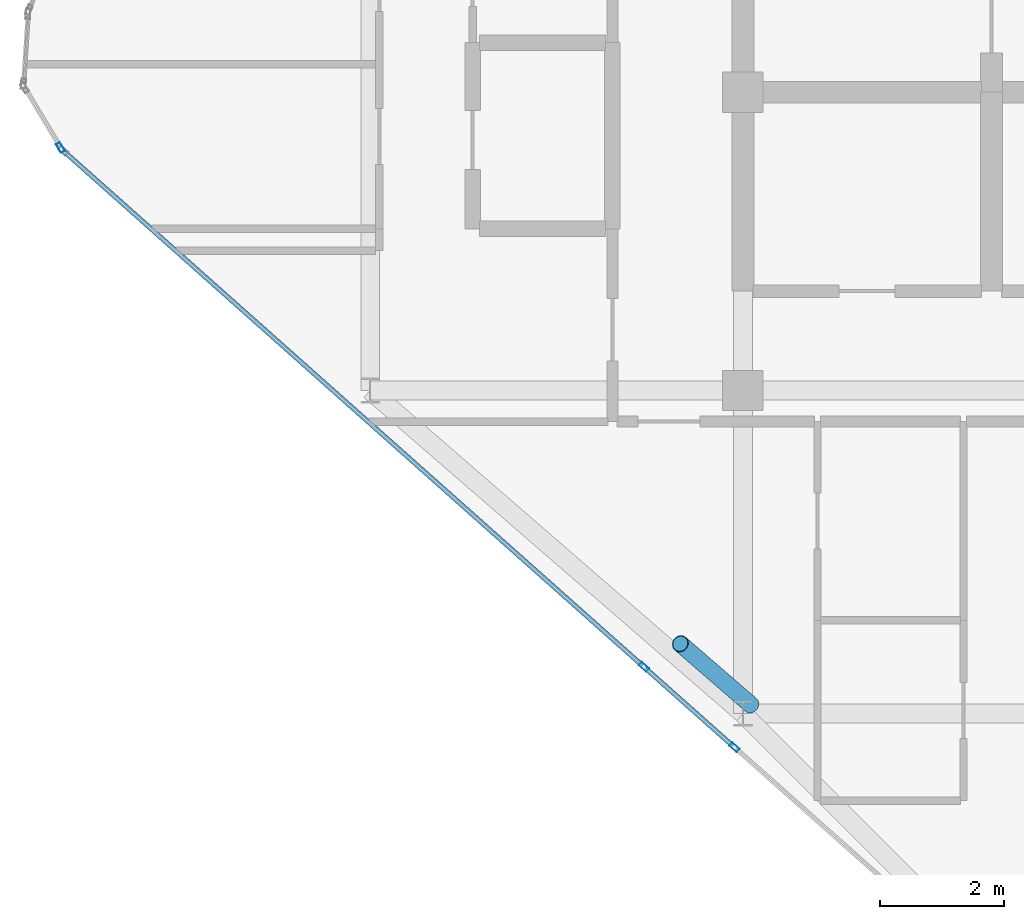
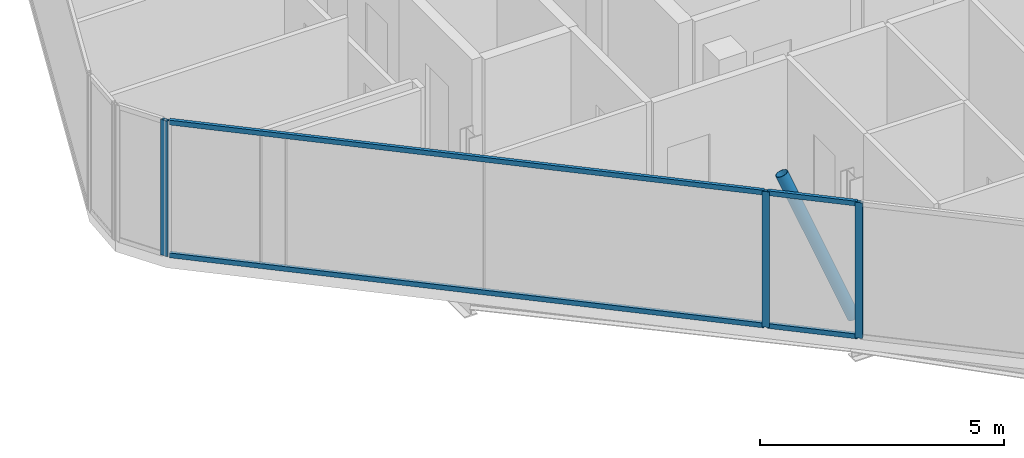
# One storey, part 3 of 27: 8 members, 4 elements without a shape of their own.
"""IFC4 building model written with IfcOpenShell, lengths in metres."""

from ifc_helpers import new_model, si_unit, direction, frame, origin, origin_2d, place, context, subcontext, project, spatial, hollow_rectangle, hollow_circle, extrude, material, layer, layer_set, material_profile, profile_set, type_object, element, aggregate, save


model = new_model("IFC4")

# Units and contexts
model_context = context("Model", 3, precision=1e-05, world=origin(), true_north=direction((0.0, 1.0)))
body_context = subcontext(model_context, "Body", "Model", "MODEL_VIEW")
ifc_project = project(units=[si_unit("LENGTHUNIT", "METRE"), si_unit("AREAUNIT", "SQUARE_METRE"), si_unit("VOLUMEUNIT", "CUBIC_METRE"), si_unit("PLANEANGLEUNIT", "RADIAN"), si_unit("MASSUNIT", "GRAM", prefix="KILO")], contexts=[model_context])

# Site, building, storey
site_placement = place(None, origin())
site = spatial("IfcSite", under=ifc_project, at=site_placement, CompositionType="ELEMENT")
building_placement = place(site_placement, origin())
building = spatial("IfcBuilding", under=site, at=building_placement, Name="Keshet Zoharim Tower", CompositionType="ELEMENT")
storey_placement = place(building_placement, frame((0.0, 0.0, 307.300048828125)))
storey = spatial("IfcBuildingStorey", under=building, at=storey_placement, Name="L77", CompositionType="ELEMENT", Elevation=307.300048828125)

# Curtain wall, member
ifc_material_1 = material(Name="Aluminium 6063-T6", Category="aluminium")
ifc_layer = layer(ifc_material_1, 0.260009765625)
ifc_layer_set = layer_set([ifc_layer], Name="Aluminium 6063-T6")
curtain_wall_type = type_object("IfcCurtainWallType", Name="CW-SYS-06", PredefinedType="NOTDEFINED", material=ifc_layer_set)
curtain_wall_1_placement = place(storey_placement, origin())
curtain_wall_1 = element("IfcCurtainWall", 1, at=curtain_wall_1_placement, inside=storey, type_object=curtain_wall_type, Name="L77 Unitised Curtain Wall 01", PredefinedType="NOTDEFINED")
ifc_material_profile_1 = material_profile(ifc_material_1, hollow_rectangle(XDim=0.074951171875, YDim=0.159912109375, WallThickness=0.00390625, at=origin_2d()), Name="MUL-75x160")
ifc_profile_set_1 = profile_set([ifc_material_profile_1], Name="Aluminium 6063-T6")
member_type_1 = type_object("IfcMemberType", Name="CWM-M15", PredefinedType="MULLION", material=ifc_profile_set_1)
member_1_placement = place(storey_placement, frame((4.016845703125, 21.81005859375, 0.0), z_axis=(0.0, 0.0, 1.0), x_axis=(-0.856826433805, -0.515604947933, 0.0)))
member_1 = element("IfcMember", 2, at=member_1_placement, type_object=member_type_1, Name="CW-06 mullion 1", PredefinedType="MULLION", context=body_context, shape_type="SweptSolid", body=[
    extrude(hollow_rectangle(XDim=0.074951171875, YDim=0.159912109375, WallThickness=0.00390625, at=origin_2d()), origin(), (0.0, 0.0, 1.0), 3.389892578125),
])
aggregate(curtain_wall_1, [member_1])

curtain_wall_2_placement = place(storey_placement, origin())
curtain_wall_2 = element("IfcCurtainWall", 3, at=curtain_wall_2_placement, inside=storey, type_object=curtain_wall_type, Name="L77 Unitised Curtain Wall 16", PredefinedType="NOTDEFINED")
member_2_placement = place(storey_placement, frame((14.863037109375, 12.155029296875, 0.0), z_axis=(0.0, 0.0, 1.0), x_axis=(-0.664362180559, -0.747410792699, 0.0)))
member_2 = element("IfcMember", 4, at=member_2_placement, type_object=member_type_1, Name="CW-06 mullion 2", PredefinedType="MULLION", context=body_context, shape_type="SweptSolid", body=[
    extrude(hollow_rectangle(XDim=0.074951171875, YDim=0.159912109375, WallThickness=0.00390625, at=origin_2d()), origin(), (0.0, 0.0, 1.0), 3.389892578125),
])
aggregate(curtain_wall_2, [member_2])

# Curtain wall, members
curtain_wall_3_placement = place(storey_placement, origin())
curtain_wall_3 = element("IfcCurtainWall", 5, at=curtain_wall_3_placement, inside=storey, type_object=curtain_wall_type, Name="L77 Unitised Curtain Wall 16 Part 2", PredefinedType="NOTDEFINED")
member_3_placement = place(storey_placement, frame((13.40576171875, 13.450439453125, 0.0), z_axis=(0.0, 0.0, 1.0), x_axis=(-0.664338369143, -0.747431957629, 0.0)))
member_3 = element("IfcMember", 6, at=member_3_placement, type_object=member_type_1, Name="CW-06 mullion 2", PredefinedType="MULLION", context=body_context, shape_type="SweptSolid", body=[
    extrude(hollow_rectangle(XDim=0.074951171875, YDim=0.159912109375, WallThickness=0.00390625, at=origin_2d()), origin(), (0.0, 0.0, 1.0), 3.389892578125),
])
ifc_material_profile_2 = material_profile(ifc_material_1, hollow_rectangle(XDim=0.074951171875, YDim=0.1201171875, WallThickness=0.00390625, at=origin_2d()), Name="TRN-75x120")
ifc_profile_set_2 = profile_set([ifc_material_profile_2], Name="Aluminium 6063-T6")
member_type_2 = type_object("IfcMemberType", Name="CWT-T12", PredefinedType="USERDEFINED", material=ifc_profile_set_2)
member_4_placement = place(storey_placement, frame((14.8369140625, 12.178466796875, 0.034912109375), z_axis=(-0.747452318941, 0.664315460387, 0.0), x_axis=(-0.664315460387, -0.747452318941, 0.0)))
member_4 = element("IfcMember", 7, at=member_4_placement, type_object=member_type_2, Name="CW-06 transom 1.1", ObjectType="TRANSOM", PredefinedType="USERDEFINED", context=body_context, shape_type="SweptSolid", body=[
    extrude(hollow_rectangle(XDim=0.074951171875, YDim=0.1201171875, WallThickness=0.00390625, at=origin_2d()), origin(), (0.0, 0.0, 1.0), 1.87939453125),
])
member_5_placement = place(storey_placement, frame((14.8369140625, 12.178466796875, 3.35498046875), z_axis=(-0.747452318941, 0.664315460387, 0.0), x_axis=(-0.664315460387, -0.747452318941, 0.0)))
member_5 = element("IfcMember", 8, at=member_5_placement, type_object=member_type_2, Name="CW-06 transom 1.2", ObjectType="TRANSOM", PredefinedType="USERDEFINED", context=body_context, shape_type="SweptSolid", body=[
    extrude(hollow_rectangle(XDim=0.074951171875, YDim=0.1201171875, WallThickness=0.00390625, at=origin_2d()), origin(), (0.0, 0.0, 1.0), 1.87939453125),
])
aggregate(curtain_wall_3, [member_3, member_4, member_5])

curtain_wall_4_placement = place(storey_placement, origin())
curtain_wall_4 = element("IfcCurtainWall", 9, at=curtain_wall_4_placement, inside=storey, type_object=curtain_wall_type, Name="L77 Unitised Curtain Wall 16 Part 3", PredefinedType="NOTDEFINED")
member_6_placement = place(storey_placement, frame((13.379638671875, 13.4736328125, 0.034912109375), z_axis=(-0.747409318684, 0.66436383883, 0.0), x_axis=(-0.66436383883, -0.747409318684, 0.0)))
member_6 = element("IfcMember", 10, at=member_6_placement, type_object=member_type_2, Name="CW-06 transom 1.1", ObjectType="TRANSOM", PredefinedType="USERDEFINED", context=body_context, shape_type="SweptSolid", body=[
    extrude(hollow_rectangle(XDim=0.074951171875, YDim=0.1201171875, WallThickness=0.00390625, at=origin_2d()), origin(), (0.0, 0.0, 1.0), 12.4326171875),
])
member_7_placement = place(storey_placement, frame((13.379638671875, 13.4736328125, 3.35498046875), z_axis=(-0.747409318684, 0.66436383883, 0.0), x_axis=(-0.66436383883, -0.747409318684, 0.0)))
member_7 = element("IfcMember", 11, at=member_7_placement, type_object=member_type_2, Name="CW-06 transom 1.2", ObjectType="TRANSOM", PredefinedType="USERDEFINED", context=body_context, shape_type="SweptSolid", body=[
    extrude(hollow_rectangle(XDim=0.074951171875, YDim=0.1201171875, WallThickness=0.00390625, at=origin_2d()), origin(), (0.0, 0.0, 1.0), 12.4326171875),
])
aggregate(curtain_wall_4, [member_6, member_7])

# Member
ifc_material_2 = material(Name="Steel S355", Category="steel")
ifc_material_profile_3 = material_profile(ifc_material_2, hollow_circle(Radius=0.136474609375, WallThickness=0.010009765625, at=origin_2d()), Name="CHS273x10")
ifc_profile_set_3 = profile_set([ifc_material_profile_3], Name="Steel S355")
member_type_3 = type_object("IfcMemberType", Name="MB-BR-C273", PredefinedType="BRACE", material=ifc_profile_set_3)
member_8_placement = place(storey_placement, frame((15.1259765625, 12.842041015625, 0.0), z_axis=(-0.305919508672, 0.264888754334, 0.914465528077), x_axis=(-0.654589683411, -0.755984355904, 0.0)))
element("IfcMember", 12, at=member_8_placement, inside=storey, type_object=member_type_3, Name="L77 Perimeter Tube Brace 01", PredefinedType="BRACE", context=body_context, shape_type="SweptSolid", body=[
    extrude(hollow_circle(Radius=0.136474609375, WallThickness=0.010009765625, at=origin_2d()), origin(), (0.0, 0.0, 1.0), 3.70703125),
])

save(model, "model.ifc")
